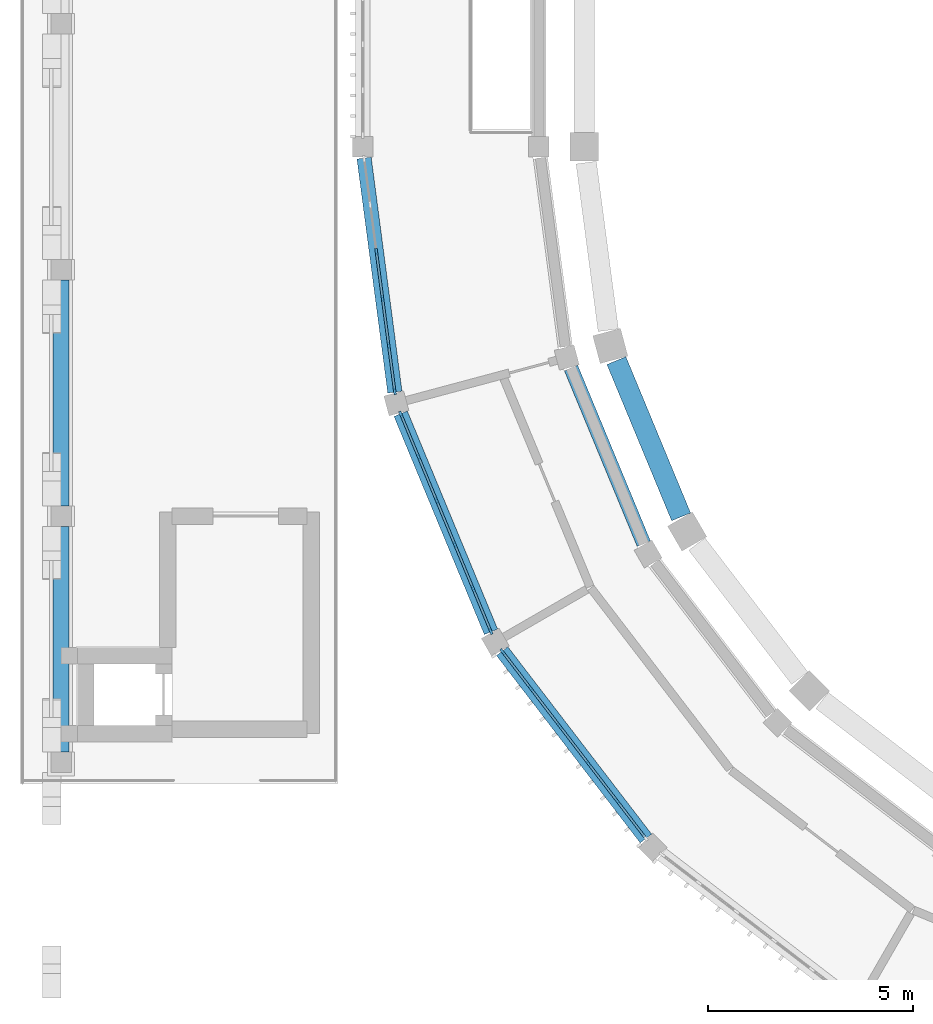
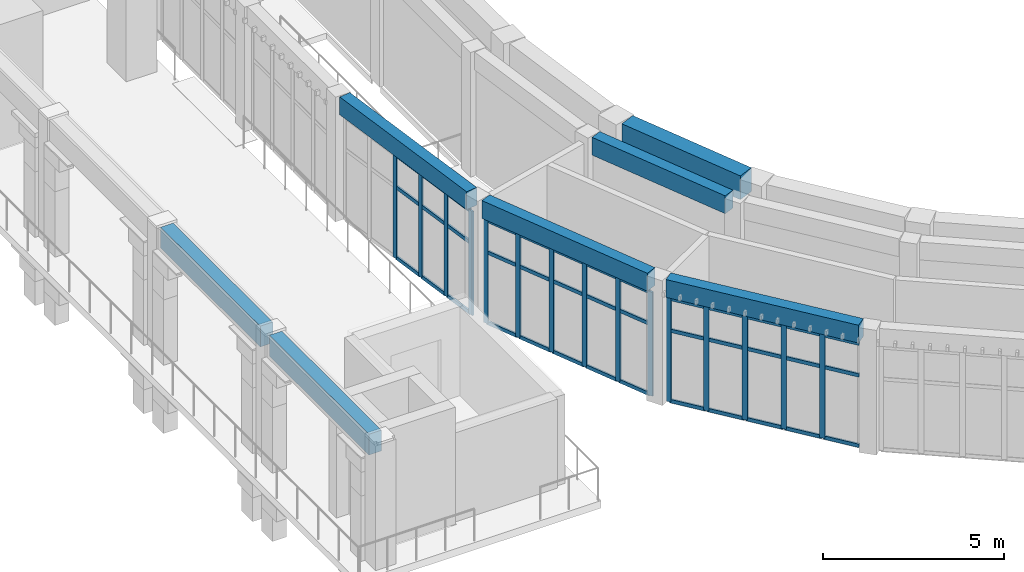
# One storey, part 5 of 99: 54 members, 7 beams, 3 elements without a shape of their own.
"""IFC4 building model written with IfcOpenShell, lengths in metres."""

from ifc_helpers import new_model, si_unit, direction, frame, origin, origin_2d, place, context, subcontext, project, spatial, rectangle, extrude, material, layer, layer_set, material_profile, profile_set, type_object, element, aggregate, save


model = new_model("IFC4")

# Units and contexts
model_context = context("Model", 3, precision=1e-05, world=origin(), true_north=direction((0.0, 1.0)))
body_context = subcontext(model_context, "Body", "Model", "MODEL_VIEW")
ifc_project = project(units=[si_unit("LENGTHUNIT", "METRE"), si_unit("AREAUNIT", "SQUARE_METRE"), si_unit("VOLUMEUNIT", "CUBIC_METRE"), si_unit("PLANEANGLEUNIT", "RADIAN"), si_unit("MASSUNIT", "GRAM", prefix="KILO")], contexts=[model_context])

# Site, building, storey
site_placement = place(None, origin())
site = spatial("IfcSite", under=ifc_project, at=site_placement, CompositionType="ELEMENT")
building_placement = place(site_placement, origin())
building = spatial("IfcBuilding", under=site, at=building_placement, Name="Wasatch Bagh Community Centre", CompositionType="ELEMENT")
storey_placement = place(building_placement, frame((0.0, 0.0, 4.199951171875)))
storey = spatial("IfcBuildingStorey", under=building, at=storey_placement, Name="L01", CompositionType="ELEMENT", Elevation=4.199951171875)

# Beams
ifc_material_1 = material(Name="Concrete C35", Category="concrete")
ifc_material_profile_1 = material_profile(ifc_material_1, rectangle(XDim=0.39990234375, YDim=0.699951171875, at=origin_2d()), Name="RC 400x700")
ifc_profile_set_1 = profile_set([ifc_material_profile_1], Name="Concrete C35")
beam_type_1 = type_object("IfcBeamType", Name="CT-B1", PredefinedType="BEAM", material=ifc_profile_set_1)
for number, where, z_axis, x_axis, name in (
    (1, (4.5, 20.25, 3.85009765625), (0.0, 1.0, 0.0), (-1.0, 0.0, 0.0), "CT-B1 terrace arcade spandrel beam 1"),
    (2, (4.5, 26.25, 3.85009765625), (0.0, 1.0, 0.0), (-1.0, 0.0, 0.0), "CT-B1 terrace arcade spandrel beam 2"),
):
    element("IfcBeam", number, at=place(storey_placement, frame(where, z_axis=z_axis, x_axis=x_axis)), inside=storey, type_object=beam_type_1, Name=name, PredefinedType="BEAM", context=body_context, shape_type="SweptSolid", body=[
        extrude(rectangle(XDim=0.39990234375, YDim=0.699951171875, at=origin_2d()), origin(), (0.0, 0.0, 1.0), 5.5),
    ])

# Curtain wall, members
ifc_material_2 = material(Name="Aluminium curtain wall frame with low-iron insulated glass", Category="aluminium")
ifc_layer = layer(ifc_material_2, 0.14990234375)
ifc_layer_set = layer_set([ifc_layer], Name="Aluminium curtain wall frame with low-iron insulated glass")
curtain_wall_type = type_object("IfcCurtainWallType", Name="Drum curtain wall DR-CW2", PredefinedType="NOTDEFINED", material=ifc_layer_set)
curtain_wall_1_placement = place(storey_placement, origin())
curtain_wall_1 = element("IfcCurtainWall", 3, at=curtain_wall_1_placement, inside=storey, type_object=curtain_wall_type, Name="Curtain wall DR-CW2 1", PredefinedType="NOTDEFINED")
ifc_material_3 = material(Name="Aluminium curtain wall frame", Category="aluminium")
ifc_material_profile_2 = material_profile(ifc_material_3, rectangle(XDim=0.06005859375, YDim=0.159912109375, at=origin_2d()), Name="Drum mullion DR-CW2")
ifc_profile_set_2 = profile_set([ifc_material_profile_2], Name="Aluminium curtain wall frame")
member_type_1 = type_object("IfcMemberType", Name="Drum mullion DR-CW2", PredefinedType="MULLION", material=ifc_profile_set_2)
member_1_placement = place(storey_placement, frame((12.18603515625, 32.44775390625, 0.0), z_axis=(0.0, 0.0, 1.0), x_axis=(0.991444861378, 0.130526192185, 0.0)))
member_1 = element("IfcMember", 4, at=member_1_placement, type_object=member_type_1, Name="DR-CW2 mullion 3", PredefinedType="MULLION", context=body_context, shape_type="SweptSolid", body=[
    extrude(rectangle(XDim=0.06005859375, YDim=0.159912109375, at=origin_2d()), origin(), (0.0, 0.0, 1.0), 3.5),
])
member_2_placement = place(storey_placement, frame((12.3369140625, 31.3017578125, 0.0), z_axis=(0.0, 0.0, 1.0), x_axis=(0.991444861378, 0.130526192185, 0.0)))
member_2 = element("IfcMember", 5, at=member_2_placement, type_object=member_type_1, Name="DR-CW2 mullion 4", PredefinedType="MULLION", context=body_context, shape_type="SweptSolid", body=[
    extrude(rectangle(XDim=0.06005859375, YDim=0.159912109375, at=origin_2d()), origin(), (0.0, 0.0, 1.0), 3.5),
])
member_3_placement = place(storey_placement, frame((12.48779296875, 30.15576171875, 0.0), z_axis=(0.0, 0.0, 1.0), x_axis=(0.991444861378, 0.130526192185, 0.0)))
member_3 = element("IfcMember", 6, at=member_3_placement, type_object=member_type_1, Name="DR-CW2 mullion 5", PredefinedType="MULLION", context=body_context, shape_type="SweptSolid", body=[
    extrude(rectangle(XDim=0.06005859375, YDim=0.159912109375, at=origin_2d()), origin(), (0.0, 0.0, 1.0), 3.5),
])
member_4_placement = place(storey_placement, frame((12.634765625, 29.03955078125, 0.0), z_axis=(0.0, 0.0, 1.0), x_axis=(0.991444861378, 0.130526192185, 0.0)))
member_4 = element("IfcMember", 7, at=member_4_placement, type_object=member_type_1, Name="DR-CW2 mullion 6", PredefinedType="MULLION", context=body_context, shape_type="SweptSolid", body=[
    extrude(rectangle(XDim=0.06005859375, YDim=0.159912109375, at=origin_2d()), origin(), (0.0, 0.0, 1.0), 3.5),
])

curtain_wall_2_placement = place(storey_placement, origin())
curtain_wall_2 = element("IfcCurtainWall", 8, at=curtain_wall_2_placement, inside=storey, type_object=curtain_wall_type, Name="Curtain wall DR-CW2 2", PredefinedType="NOTDEFINED")
member_5_placement = place(storey_placement, frame((12.784912109375, 28.479248046875, 0.0), z_axis=(0.0, 0.0, 1.0), x_axis=(0.923879532451, 0.38268343251, 0.0)))
member_5 = element("IfcMember", 9, at=member_5_placement, type_object=member_type_1, Name="DR-CW2 mullion 1", PredefinedType="MULLION", context=body_context, shape_type="SweptSolid", body=[
    extrude(rectangle(XDim=0.06005859375, YDim=0.159912109375, at=origin_2d()), origin(), (0.0, 0.0, 1.0), 3.5),
])
member_6_placement = place(storey_placement, frame((13.215576171875, 27.439208984375, 0.0), z_axis=(0.0, 0.0, 1.0), x_axis=(0.923879532451, 0.38268343251, 0.0)))
member_6 = element("IfcMember", 10, at=member_6_placement, type_object=member_type_1, Name="DR-CW2 mullion 2", PredefinedType="MULLION", context=body_context, shape_type="SweptSolid", body=[
    extrude(rectangle(XDim=0.06005859375, YDim=0.159912109375, at=origin_2d()), origin(), (0.0, 0.0, 1.0), 3.5),
])
member_7_placement = place(storey_placement, frame((13.657958984375, 26.37109375, 0.0), z_axis=(0.0, 0.0, 1.0), x_axis=(0.923879532451, 0.38268343251, 0.0)))
member_7 = element("IfcMember", 11, at=member_7_placement, type_object=member_type_1, Name="DR-CW2 mullion 3", PredefinedType="MULLION", context=body_context, shape_type="SweptSolid", body=[
    extrude(rectangle(XDim=0.06005859375, YDim=0.159912109375, at=origin_2d()), origin(), (0.0, 0.0, 1.0), 3.5),
])
member_8_placement = place(storey_placement, frame((14.100341796875, 25.30322265625, 0.0), z_axis=(0.0, 0.0, 1.0), x_axis=(0.923879532451, 0.38268343251, 0.0)))
member_8 = element("IfcMember", 12, at=member_8_placement, type_object=member_type_1, Name="DR-CW2 mullion 4", PredefinedType="MULLION", context=body_context, shape_type="SweptSolid", body=[
    extrude(rectangle(XDim=0.06005859375, YDim=0.159912109375, at=origin_2d()), origin(), (0.0, 0.0, 1.0), 3.5),
])
member_9_placement = place(storey_placement, frame((14.542724609375, 24.2353515625, 0.0), z_axis=(0.0, 0.0, 1.0), x_axis=(0.923879532451, 0.38268343251, 0.0)))
member_9 = element("IfcMember", 13, at=member_9_placement, type_object=member_type_1, Name="DR-CW2 mullion 5", PredefinedType="MULLION", context=body_context, shape_type="SweptSolid", body=[
    extrude(rectangle(XDim=0.06005859375, YDim=0.159912109375, at=origin_2d()), origin(), (0.0, 0.0, 1.0), 3.5),
])
member_10_placement = place(storey_placement, frame((14.9736328125, 23.1953125, 0.0), z_axis=(0.0, 0.0, 1.0), x_axis=(0.923879532451, 0.38268343251, 0.0)))
member_10 = element("IfcMember", 14, at=member_10_placement, type_object=member_type_1, Name="DR-CW2 mullion 6", PredefinedType="MULLION", context=body_context, shape_type="SweptSolid", body=[
    extrude(rectangle(XDim=0.06005859375, YDim=0.159912109375, at=origin_2d()), origin(), (0.0, 0.0, 1.0), 3.5),
])

curtain_wall_3_placement = place(storey_placement, origin())
curtain_wall_3 = element("IfcCurtainWall", 15, at=curtain_wall_3_placement, inside=storey, type_object=curtain_wall_type, Name="Curtain wall DR-CW2 3", PredefinedType="NOTDEFINED")
member_11_placement = place(storey_placement, frame((15.263671875, 22.69287109375, 0.0), z_axis=(0.0, 0.0, 1.0), x_axis=(0.793353340196, 0.608761429133, 0.0)))
member_11 = element("IfcMember", 16, at=member_11_placement, type_object=member_type_1, Name="DR-CW2 mullion 1", PredefinedType="MULLION", context=body_context, shape_type="SweptSolid", body=[
    extrude(rectangle(XDim=0.06005859375, YDim=0.159912109375, at=origin_2d()), origin(), (0.0, 0.0, 1.0), 3.5),
])
member_12_placement = place(storey_placement, frame((15.948974609375, 21.7998046875, 0.0), z_axis=(0.0, 0.0, 1.0), x_axis=(0.793353340196, 0.608761429133, 0.0)))
member_12 = element("IfcMember", 17, at=member_12_placement, type_object=member_type_1, Name="DR-CW2 mullion 2", PredefinedType="MULLION", context=body_context, shape_type="SweptSolid", body=[
    extrude(rectangle(XDim=0.06005859375, YDim=0.159912109375, at=origin_2d()), origin(), (0.0, 0.0, 1.0), 3.5),
])
member_13_placement = place(storey_placement, frame((16.652587890625, 20.8828125, 0.0), z_axis=(0.0, 0.0, 1.0), x_axis=(0.793353340196, 0.608761429133, 0.0)))
member_13 = element("IfcMember", 18, at=member_13_placement, type_object=member_type_1, Name="DR-CW2 mullion 3", PredefinedType="MULLION", context=body_context, shape_type="SweptSolid", body=[
    extrude(rectangle(XDim=0.06005859375, YDim=0.159912109375, at=origin_2d()), origin(), (0.0, 0.0, 1.0), 3.5),
])
member_14_placement = place(storey_placement, frame((17.356201171875, 19.965576171875, 0.0), z_axis=(0.0, 0.0, 1.0), x_axis=(0.793353340196, 0.608761429133, 0.0)))
member_14 = element("IfcMember", 19, at=member_14_placement, type_object=member_type_1, Name="DR-CW2 mullion 4", PredefinedType="MULLION", context=body_context, shape_type="SweptSolid", body=[
    extrude(rectangle(XDim=0.06005859375, YDim=0.159912109375, at=origin_2d()), origin(), (0.0, 0.0, 1.0), 3.5),
])
member_15_placement = place(storey_placement, frame((18.059814453125, 19.048583984375, 0.0), z_axis=(0.0, 0.0, 1.0), x_axis=(0.793353340196, 0.608761429133, 0.0)))
member_15 = element("IfcMember", 20, at=member_15_placement, type_object=member_type_1, Name="DR-CW2 mullion 5", PredefinedType="MULLION", context=body_context, shape_type="SweptSolid", body=[
    extrude(rectangle(XDim=0.06005859375, YDim=0.159912109375, at=origin_2d()), origin(), (0.0, 0.0, 1.0), 3.5),
])

# Beams
ifc_material_profile_3 = material_profile(ifc_material_1, rectangle(XDim=0.35009765625, YDim=0.60009765625, at=origin_2d()), Name="RC 350x600")
ifc_profile_set_3 = profile_set([ifc_material_profile_3], Name="Concrete C35")
beam_type_2 = type_object("IfcBeamType", Name="Drum ring beam RC 350x600", PredefinedType="BEAM", material=ifc_profile_set_3)
beam_1_placement = place(storey_placement, frame((16.931884765625, 29.607666015625, 3.900146484375), z_axis=(0.382671540178, -0.923884458327, 0.0), x_axis=(0.923884458327, 0.382671540178, 0.0)))
element("IfcBeam", 21, at=beam_1_placement, inside=storey, type_object=beam_type_2, Name="Ring beam 8.4 DI-S1-DI-S2", PredefinedType="BEAM", context=body_context, shape_type="SweptSolid", body=[
    extrude(rectangle(XDim=0.35009765625, YDim=0.60009765625, at=origin_2d()), origin(), (0.0, 0.0, 1.0), 4.630615234375),
])
beam_2_placement = place(storey_placement, frame((11.885986328125, 34.7265625, 3.900146484375), z_axis=(0.130540139759, -0.991443025046, 0.0), x_axis=(0.991443025046, 0.130540139759, 0.0)))
element("IfcBeam", 22, at=beam_2_placement, inside=storey, type_object=beam_type_2, Name="Ring beam 8.4 DO-W1-DO-S1", PredefinedType="BEAM", context=body_context, shape_type="SweptSolid", body=[
    extrude(rectangle(XDim=0.35009765625, YDim=0.60009765625, at=origin_2d()), origin(), (0.0, 0.0, 1.0), 5.7529296875),
])
beam_3_placement = place(storey_placement, frame((12.7783203125, 28.494873046875, 3.900146484375), z_axis=(0.38268910224, -0.923877183952, 0.0), x_axis=(0.923877183952, 0.38268910224, 0.0)))
element("IfcBeam", 23, at=beam_3_placement, inside=storey, type_object=beam_type_2, Name="Ring beam 8.4 DO-S1-DO-S2", PredefinedType="BEAM", context=body_context, shape_type="SweptSolid", body=[
    extrude(rectangle(XDim=0.35009765625, YDim=0.60009765625, at=origin_2d()), origin(), (0.0, 0.0, 1.0), 5.753173828125),
])
beam_4_placement = place(storey_placement, frame((15.25341796875, 22.706298828125, 3.900146484375), z_axis=(0.608756673514, -0.793356989288, 0.0), x_axis=(0.793356989288, 0.608756673514, 0.0)))
element("IfcBeam", 24, at=beam_4_placement, inside=storey, type_object=beam_type_2, Name="Ring beam 8.4 DO-S2-DO-S3", PredefinedType="BEAM", context=body_context, shape_type="SweptSolid", body=[
    extrude(rectangle(XDim=0.35009765625, YDim=0.60009765625, at=origin_2d()), origin(), (0.0, 0.0, 1.0), 5.7529296875),
])

# Member
ifc_material_profile_4 = material_profile(ifc_material_3, rectangle(XDim=0.06005859375, YDim=0.1201171875, at=origin_2d()), Name="Drum transom DR-CW2")
ifc_profile_set_4 = profile_set([ifc_material_profile_4], Name="Aluminium curtain wall frame")
member_type_2 = type_object("IfcMemberType", Name="Drum transom DR-CW2", PredefinedType="USERDEFINED", material=ifc_profile_set_4)
member_16_placement = place(storey_placement, frame((12.18994140625, 32.41796875, 0.030029296875), z_axis=(0.130558250608, -0.99144064028, 0.0), x_axis=(0.99144064028, 0.130558250608, 0.0)))
member_16 = element("IfcMember", 25, at=member_16_placement, type_object=member_type_2, Name="DR-CW2 transom 3.1", ObjectType="TRANSOM", PredefinedType="USERDEFINED", context=body_context, shape_type="SweptSolid", body=[
    extrude(rectangle(XDim=0.06005859375, YDim=0.1201171875, at=origin_2d()), origin(), (0.0, 0.0, 1.0), 1.095703125),
])

member_17_placement = place(storey_placement, frame((12.18994140625, 32.41796875, 2.400146484375), z_axis=(0.130558250608, -0.99144064028, 0.0), x_axis=(0.99144064028, 0.130558250608, 0.0)))
member_17 = element("IfcMember", 26, at=member_17_placement, type_object=member_type_2, Name="DR-CW2 transom 3.2", ObjectType="TRANSOM", PredefinedType="USERDEFINED", context=body_context, shape_type="SweptSolid", body=[
    extrude(rectangle(XDim=0.06005859375, YDim=0.1201171875, at=origin_2d()), origin(), (0.0, 0.0, 1.0), 1.095703125),
])

member_18_placement = place(storey_placement, frame((12.18994140625, 32.41796875, 3.469970703125), z_axis=(0.130558250608, -0.99144064028, 0.0), x_axis=(0.99144064028, 0.130558250608, 0.0)))
member_18 = element("IfcMember", 27, at=member_18_placement, type_object=member_type_2, Name="DR-CW2 transom 3.3", ObjectType="TRANSOM", PredefinedType="USERDEFINED", context=body_context, shape_type="SweptSolid", body=[
    extrude(rectangle(XDim=0.06005859375, YDim=0.1201171875, at=origin_2d()), origin(), (0.0, 0.0, 1.0), 1.095703125),
])

member_19_placement = place(storey_placement, frame((12.3408203125, 31.27197265625, 0.030029296875), z_axis=(0.130558250608, -0.99144064028, 0.0), x_axis=(0.99144064028, 0.130558250608, 0.0)))
member_19 = element("IfcMember", 28, at=member_19_placement, type_object=member_type_2, Name="DR-CW2 transom 4.1", ObjectType="TRANSOM", PredefinedType="USERDEFINED", context=body_context, shape_type="SweptSolid", body=[
    extrude(rectangle(XDim=0.06005859375, YDim=0.1201171875, at=origin_2d()), origin(), (0.0, 0.0, 1.0), 1.095703125),
])

member_20_placement = place(storey_placement, frame((12.3408203125, 31.27197265625, 2.400146484375), z_axis=(0.130558250608, -0.99144064028, 0.0), x_axis=(0.99144064028, 0.130558250608, 0.0)))
member_20 = element("IfcMember", 29, at=member_20_placement, type_object=member_type_2, Name="DR-CW2 transom 4.2", ObjectType="TRANSOM", PredefinedType="USERDEFINED", context=body_context, shape_type="SweptSolid", body=[
    extrude(rectangle(XDim=0.06005859375, YDim=0.1201171875, at=origin_2d()), origin(), (0.0, 0.0, 1.0), 1.095703125),
])

member_21_placement = place(storey_placement, frame((12.3408203125, 31.27197265625, 3.469970703125), z_axis=(0.130558250608, -0.99144064028, 0.0), x_axis=(0.99144064028, 0.130558250608, 0.0)))
member_21 = element("IfcMember", 30, at=member_21_placement, type_object=member_type_2, Name="DR-CW2 transom 4.3", ObjectType="TRANSOM", PredefinedType="USERDEFINED", context=body_context, shape_type="SweptSolid", body=[
    extrude(rectangle(XDim=0.06005859375, YDim=0.1201171875, at=origin_2d()), origin(), (0.0, 0.0, 1.0), 1.095703125),
])

member_22_placement = place(storey_placement, frame((12.49169921875, 30.1259765625, 0.030029296875), z_axis=(0.130573025845, -0.991438694485, 0.0), x_axis=(0.991438694485, 0.130573025845, 0.0)))
member_22 = element("IfcMember", 31, at=member_22_placement, type_object=member_type_2, Name="DR-CW2 transom 5.1", ObjectType="TRANSOM", PredefinedType="USERDEFINED", context=body_context, shape_type="SweptSolid", body=[
    extrude(rectangle(XDim=0.06005859375, YDim=0.1201171875, at=origin_2d()), origin(), (0.0, 0.0, 1.0), 1.065673828125),
])

member_23_placement = place(storey_placement, frame((12.49169921875, 30.1259765625, 2.400146484375), z_axis=(0.130573025845, -0.991438694485, 0.0), x_axis=(0.991438694485, 0.130573025845, 0.0)))
member_23 = element("IfcMember", 32, at=member_23_placement, type_object=member_type_2, Name="DR-CW2 transom 5.2", ObjectType="TRANSOM", PredefinedType="USERDEFINED", context=body_context, shape_type="SweptSolid", body=[
    extrude(rectangle(XDim=0.06005859375, YDim=0.1201171875, at=origin_2d()), origin(), (0.0, 0.0, 1.0), 1.065673828125),
])

member_24_placement = place(storey_placement, frame((12.49169921875, 30.1259765625, 3.469970703125), z_axis=(0.130573025845, -0.991438694485, 0.0), x_axis=(0.991438694485, 0.130573025845, 0.0)))
member_24 = element("IfcMember", 33, at=member_24_placement, type_object=member_type_2, Name="DR-CW2 transom 5.3", ObjectType="TRANSOM", PredefinedType="USERDEFINED", context=body_context, shape_type="SweptSolid", body=[
    extrude(rectangle(XDim=0.06005859375, YDim=0.1201171875, at=origin_2d()), origin(), (0.0, 0.0, 1.0), 1.065673828125),
])

aggregate(curtain_wall_1, [member_1, member_2, member_3, member_4, member_16, member_17, member_18, member_19, member_20, member_21, member_22, member_23, member_24])

member_25_placement = place(storey_placement, frame((12.79638671875, 28.45166015625, 0.030029296875), z_axis=(0.382500141907, -0.923955432606, 0.0), x_axis=(0.923955432606, 0.382500141907, 0.0)))
member_25 = element("IfcMember", 34, at=member_25_placement, type_object=member_type_2, Name="DR-CW2 transom 1.1", ObjectType="TRANSOM", PredefinedType="USERDEFINED", context=body_context, shape_type="SweptSolid", body=[
    extrude(rectangle(XDim=0.06005859375, YDim=0.1201171875, at=origin_2d()), origin(), (0.0, 0.0, 1.0), 1.06591796875),
])

member_26_placement = place(storey_placement, frame((12.79638671875, 28.45166015625, 2.400146484375), z_axis=(0.382500141907, -0.923955432606, 0.0), x_axis=(0.923955432606, 0.382500141907, 0.0)))
member_26 = element("IfcMember", 35, at=member_26_placement, type_object=member_type_2, Name="DR-CW2 transom 1.2", ObjectType="TRANSOM", PredefinedType="USERDEFINED", context=body_context, shape_type="SweptSolid", body=[
    extrude(rectangle(XDim=0.06005859375, YDim=0.1201171875, at=origin_2d()), origin(), (0.0, 0.0, 1.0), 1.06591796875),
])

member_27_placement = place(storey_placement, frame((12.79638671875, 28.45166015625, 3.469970703125), z_axis=(0.382500141907, -0.923955432606, 0.0), x_axis=(0.923955432606, 0.382500141907, 0.0)))
member_27 = element("IfcMember", 36, at=member_27_placement, type_object=member_type_2, Name="DR-CW2 transom 1.3", ObjectType="TRANSOM", PredefinedType="USERDEFINED", context=body_context, shape_type="SweptSolid", body=[
    extrude(rectangle(XDim=0.06005859375, YDim=0.1201171875, at=origin_2d()), origin(), (0.0, 0.0, 1.0), 1.06591796875),
])

member_28_placement = place(storey_placement, frame((13.22705078125, 27.411376953125, 0.030029296875), z_axis=(0.382732178779, -0.923859339579, 0.0), x_axis=(0.923859339579, 0.382732178779, 0.0)))
member_28 = element("IfcMember", 37, at=member_28_placement, type_object=member_type_2, Name="DR-CW2 transom 2.1", ObjectType="TRANSOM", PredefinedType="USERDEFINED", context=body_context, shape_type="SweptSolid", body=[
    extrude(rectangle(XDim=0.06005859375, YDim=0.1201171875, at=origin_2d()), origin(), (0.0, 0.0, 1.0), 1.095947265625),
])

member_29_placement = place(storey_placement, frame((13.22705078125, 27.411376953125, 2.400146484375), z_axis=(0.382732178779, -0.923859339579, 0.0), x_axis=(0.923859339579, 0.382732178779, 0.0)))
member_29 = element("IfcMember", 38, at=member_29_placement, type_object=member_type_2, Name="DR-CW2 transom 2.2", ObjectType="TRANSOM", PredefinedType="USERDEFINED", context=body_context, shape_type="SweptSolid", body=[
    extrude(rectangle(XDim=0.06005859375, YDim=0.1201171875, at=origin_2d()), origin(), (0.0, 0.0, 1.0), 1.095947265625),
])

member_30_placement = place(storey_placement, frame((13.22705078125, 27.411376953125, 3.469970703125), z_axis=(0.382732178779, -0.923859339579, 0.0), x_axis=(0.923859339579, 0.382732178779, 0.0)))
member_30 = element("IfcMember", 39, at=member_30_placement, type_object=member_type_2, Name="DR-CW2 transom 2.3", ObjectType="TRANSOM", PredefinedType="USERDEFINED", context=body_context, shape_type="SweptSolid", body=[
    extrude(rectangle(XDim=0.06005859375, YDim=0.1201171875, at=origin_2d()), origin(), (0.0, 0.0, 1.0), 1.095947265625),
])

member_31_placement = place(storey_placement, frame((13.66943359375, 26.343505859375, 0.030029296875), z_axis=(0.382732178779, -0.923859339579, 0.0), x_axis=(0.923859339579, 0.382732178779, 0.0)))
member_31 = element("IfcMember", 40, at=member_31_placement, type_object=member_type_2, Name="DR-CW2 transom 3.1", ObjectType="TRANSOM", PredefinedType="USERDEFINED", context=body_context, shape_type="SweptSolid", body=[
    extrude(rectangle(XDim=0.06005859375, YDim=0.1201171875, at=origin_2d()), origin(), (0.0, 0.0, 1.0), 1.095947265625),
])

member_32_placement = place(storey_placement, frame((13.66943359375, 26.343505859375, 2.400146484375), z_axis=(0.382732178779, -0.923859339579, 0.0), x_axis=(0.923859339579, 0.382732178779, 0.0)))
member_32 = element("IfcMember", 41, at=member_32_placement, type_object=member_type_2, Name="DR-CW2 transom 3.2", ObjectType="TRANSOM", PredefinedType="USERDEFINED", context=body_context, shape_type="SweptSolid", body=[
    extrude(rectangle(XDim=0.06005859375, YDim=0.1201171875, at=origin_2d()), origin(), (0.0, 0.0, 1.0), 1.095947265625),
])

member_33_placement = place(storey_placement, frame((13.66943359375, 26.343505859375, 3.469970703125), z_axis=(0.382732178779, -0.923859339579, 0.0), x_axis=(0.923859339579, 0.382732178779, 0.0)))
member_33 = element("IfcMember", 42, at=member_33_placement, type_object=member_type_2, Name="DR-CW2 transom 3.3", ObjectType="TRANSOM", PredefinedType="USERDEFINED", context=body_context, shape_type="SweptSolid", body=[
    extrude(rectangle(XDim=0.06005859375, YDim=0.1201171875, at=origin_2d()), origin(), (0.0, 0.0, 1.0), 1.095947265625),
])

member_34_placement = place(storey_placement, frame((14.11181640625, 25.275634765625, 0.030029296875), z_axis=(0.382732178779, -0.923859339579, 0.0), x_axis=(0.923859339579, 0.382732178779, 0.0)))
member_34 = element("IfcMember", 43, at=member_34_placement, type_object=member_type_2, Name="DR-CW2 transom 4.1", ObjectType="TRANSOM", PredefinedType="USERDEFINED", context=body_context, shape_type="SweptSolid", body=[
    extrude(rectangle(XDim=0.06005859375, YDim=0.1201171875, at=origin_2d()), origin(), (0.0, 0.0, 1.0), 1.095947265625),
])

member_35_placement = place(storey_placement, frame((14.11181640625, 25.275634765625, 2.400146484375), z_axis=(0.382732178779, -0.923859339579, 0.0), x_axis=(0.923859339579, 0.382732178779, 0.0)))
member_35 = element("IfcMember", 44, at=member_35_placement, type_object=member_type_2, Name="DR-CW2 transom 4.2", ObjectType="TRANSOM", PredefinedType="USERDEFINED", context=body_context, shape_type="SweptSolid", body=[
    extrude(rectangle(XDim=0.06005859375, YDim=0.1201171875, at=origin_2d()), origin(), (0.0, 0.0, 1.0), 1.095947265625),
])

member_36_placement = place(storey_placement, frame((14.11181640625, 25.275634765625, 3.469970703125), z_axis=(0.382732178779, -0.923859339579, 0.0), x_axis=(0.923859339579, 0.382732178779, 0.0)))
member_36 = element("IfcMember", 45, at=member_36_placement, type_object=member_type_2, Name="DR-CW2 transom 4.3", ObjectType="TRANSOM", PredefinedType="USERDEFINED", context=body_context, shape_type="SweptSolid", body=[
    extrude(rectangle(XDim=0.06005859375, YDim=0.1201171875, at=origin_2d()), origin(), (0.0, 0.0, 1.0), 1.095947265625),
])

member_37_placement = place(storey_placement, frame((14.55419921875, 24.207763671875, 0.030029296875), z_axis=(0.38269564791, -0.923874472572, 0.0), x_axis=(0.923874472572, 0.38269564791, 0.0)))
member_37 = element("IfcMember", 46, at=member_37_placement, type_object=member_type_2, Name="DR-CW2 transom 5.1", ObjectType="TRANSOM", PredefinedType="USERDEFINED", context=body_context, shape_type="SweptSolid", body=[
    extrude(rectangle(XDim=0.06005859375, YDim=0.1201171875, at=origin_2d()), origin(), (0.0, 0.0, 1.0), 1.06591796875),
])

member_38_placement = place(storey_placement, frame((14.55419921875, 24.207763671875, 2.400146484375), z_axis=(0.38269564791, -0.923874472572, 0.0), x_axis=(0.923874472572, 0.38269564791, 0.0)))
member_38 = element("IfcMember", 47, at=member_38_placement, type_object=member_type_2, Name="DR-CW2 transom 5.2", ObjectType="TRANSOM", PredefinedType="USERDEFINED", context=body_context, shape_type="SweptSolid", body=[
    extrude(rectangle(XDim=0.06005859375, YDim=0.1201171875, at=origin_2d()), origin(), (0.0, 0.0, 1.0), 1.06591796875),
])

member_39_placement = place(storey_placement, frame((14.55419921875, 24.207763671875, 3.469970703125), z_axis=(0.38269564791, -0.923874472572, 0.0), x_axis=(0.923874472572, 0.38269564791, 0.0)))
member_39 = element("IfcMember", 48, at=member_39_placement, type_object=member_type_2, Name="DR-CW2 transom 5.3", ObjectType="TRANSOM", PredefinedType="USERDEFINED", context=body_context, shape_type="SweptSolid", body=[
    extrude(rectangle(XDim=0.06005859375, YDim=0.1201171875, at=origin_2d()), origin(), (0.0, 0.0, 1.0), 1.06591796875),
])

aggregate(curtain_wall_2, [member_5, member_6, member_7, member_8, member_9, member_10, member_25, member_26, member_27, member_28, member_29, member_30, member_31, member_32, member_33, member_34, member_35, member_36, member_37, member_38, member_39])

member_40_placement = place(storey_placement, frame((15.28173828125, 22.669189453125, 0.030029296875), z_axis=(0.608758447006, -0.793355628453, 0.0), x_axis=(0.793355628453, 0.608758447006, 0.0)))
member_40 = element("IfcMember", 49, at=member_40_placement, type_object=member_type_2, Name="DR-CW2 transom 1.1", ObjectType="TRANSOM", PredefinedType="USERDEFINED", context=body_context, shape_type="SweptSolid", body=[
    extrude(rectangle(XDim=0.06005859375, YDim=0.1201171875, at=origin_2d()), origin(), (0.0, 0.0, 1.0), 1.06591796875),
])

member_41_placement = place(storey_placement, frame((15.28173828125, 22.669189453125, 2.400146484375), z_axis=(0.608758447006, -0.793355628453, 0.0), x_axis=(0.793355628453, 0.608758447006, 0.0)))
member_41 = element("IfcMember", 50, at=member_41_placement, type_object=member_type_2, Name="DR-CW2 transom 1.2", ObjectType="TRANSOM", PredefinedType="USERDEFINED", context=body_context, shape_type="SweptSolid", body=[
    extrude(rectangle(XDim=0.06005859375, YDim=0.1201171875, at=origin_2d()), origin(), (0.0, 0.0, 1.0), 1.06591796875),
])

member_42_placement = place(storey_placement, frame((15.28173828125, 22.669189453125, 3.469970703125), z_axis=(0.608758447006, -0.793355628453, 0.0), x_axis=(0.793355628453, 0.608758447006, 0.0)))
member_42 = element("IfcMember", 51, at=member_42_placement, type_object=member_type_2, Name="DR-CW2 transom 1.3", ObjectType="TRANSOM", PredefinedType="USERDEFINED", context=body_context, shape_type="SweptSolid", body=[
    extrude(rectangle(XDim=0.06005859375, YDim=0.1201171875, at=origin_2d()), origin(), (0.0, 0.0, 1.0), 1.06591796875),
])

member_43_placement = place(storey_placement, frame((15.96728515625, 21.77587890625, 0.030029296875), z_axis=(0.608698124672, -0.793401911405, 0.0), x_axis=(0.793401911405, 0.608698124672, 0.0)))
member_43 = element("IfcMember", 52, at=member_43_placement, type_object=member_type_2, Name="DR-CW2 transom 2.1", ObjectType="TRANSOM", PredefinedType="USERDEFINED", context=body_context, shape_type="SweptSolid", body=[
    extrude(rectangle(XDim=0.06005859375, YDim=0.1201171875, at=origin_2d()), origin(), (0.0, 0.0, 1.0), 1.095703125),
])

member_44_placement = place(storey_placement, frame((15.96728515625, 21.77587890625, 2.400146484375), z_axis=(0.608698124672, -0.793401911405, 0.0), x_axis=(0.793401911405, 0.608698124672, 0.0)))
member_44 = element("IfcMember", 53, at=member_44_placement, type_object=member_type_2, Name="DR-CW2 transom 2.2", ObjectType="TRANSOM", PredefinedType="USERDEFINED", context=body_context, shape_type="SweptSolid", body=[
    extrude(rectangle(XDim=0.06005859375, YDim=0.1201171875, at=origin_2d()), origin(), (0.0, 0.0, 1.0), 1.095703125),
])

member_45_placement = place(storey_placement, frame((15.96728515625, 21.77587890625, 3.469970703125), z_axis=(0.608698124672, -0.793401911405, 0.0), x_axis=(0.793401911405, 0.608698124672, 0.0)))
member_45 = element("IfcMember", 54, at=member_45_placement, type_object=member_type_2, Name="DR-CW2 transom 2.3", ObjectType="TRANSOM", PredefinedType="USERDEFINED", context=body_context, shape_type="SweptSolid", body=[
    extrude(rectangle(XDim=0.06005859375, YDim=0.1201171875, at=origin_2d()), origin(), (0.0, 0.0, 1.0), 1.095703125),
])

member_46_placement = place(storey_placement, frame((16.6708984375, 20.85888671875, 0.030029296875), z_axis=(0.608698124672, -0.793401911405, 0.0), x_axis=(0.793401911405, 0.608698124672, 0.0)))
member_46 = element("IfcMember", 55, at=member_46_placement, type_object=member_type_2, Name="DR-CW2 transom 3.1", ObjectType="TRANSOM", PredefinedType="USERDEFINED", context=body_context, shape_type="SweptSolid", body=[
    extrude(rectangle(XDim=0.06005859375, YDim=0.1201171875, at=origin_2d()), origin(), (0.0, 0.0, 1.0), 1.095703125),
])

member_47_placement = place(storey_placement, frame((16.6708984375, 20.85888671875, 2.400146484375), z_axis=(0.608698124672, -0.793401911405, 0.0), x_axis=(0.793401911405, 0.608698124672, 0.0)))
member_47 = element("IfcMember", 56, at=member_47_placement, type_object=member_type_2, Name="DR-CW2 transom 3.2", ObjectType="TRANSOM", PredefinedType="USERDEFINED", context=body_context, shape_type="SweptSolid", body=[
    extrude(rectangle(XDim=0.06005859375, YDim=0.1201171875, at=origin_2d()), origin(), (0.0, 0.0, 1.0), 1.095703125),
])

member_48_placement = place(storey_placement, frame((16.6708984375, 20.85888671875, 3.469970703125), z_axis=(0.608698124672, -0.793401911405, 0.0), x_axis=(0.793401911405, 0.608698124672, 0.0)))
member_48 = element("IfcMember", 57, at=member_48_placement, type_object=member_type_2, Name="DR-CW2 transom 3.3", ObjectType="TRANSOM", PredefinedType="USERDEFINED", context=body_context, shape_type="SweptSolid", body=[
    extrude(rectangle(XDim=0.06005859375, YDim=0.1201171875, at=origin_2d()), origin(), (0.0, 0.0, 1.0), 1.095703125),
])

member_49_placement = place(storey_placement, frame((17.37451171875, 19.94189453125, 0.030029296875), z_axis=(0.608838347721, -0.793294312563, 0.0), x_axis=(0.793294312563, 0.608838347721, 0.0)))
member_49 = element("IfcMember", 58, at=member_49_placement, type_object=member_type_2, Name="DR-CW2 transom 4.1", ObjectType="TRANSOM", PredefinedType="USERDEFINED", context=body_context, shape_type="SweptSolid", body=[
    extrude(rectangle(XDim=0.06005859375, YDim=0.1201171875, at=origin_2d()), origin(), (0.0, 0.0, 1.0), 1.095947265625),
])

member_50_placement = place(storey_placement, frame((17.37451171875, 19.94189453125, 2.400146484375), z_axis=(0.608838347721, -0.793294312563, 0.0), x_axis=(0.793294312563, 0.608838347721, 0.0)))
member_50 = element("IfcMember", 59, at=member_50_placement, type_object=member_type_2, Name="DR-CW2 transom 4.2", ObjectType="TRANSOM", PredefinedType="USERDEFINED", context=body_context, shape_type="SweptSolid", body=[
    extrude(rectangle(XDim=0.06005859375, YDim=0.1201171875, at=origin_2d()), origin(), (0.0, 0.0, 1.0), 1.095947265625),
])

member_51_placement = place(storey_placement, frame((17.37451171875, 19.94189453125, 3.469970703125), z_axis=(0.608838347721, -0.793294312563, 0.0), x_axis=(0.793294312563, 0.608838347721, 0.0)))
member_51 = element("IfcMember", 60, at=member_51_placement, type_object=member_type_2, Name="DR-CW2 transom 4.3", ObjectType="TRANSOM", PredefinedType="USERDEFINED", context=body_context, shape_type="SweptSolid", body=[
    extrude(rectangle(XDim=0.06005859375, YDim=0.1201171875, at=origin_2d()), origin(), (0.0, 0.0, 1.0), 1.095947265625),
])

member_52_placement = place(storey_placement, frame((18.078125, 19.02490234375, 0.030029296875), z_axis=(0.608758447006, -0.793355628453, 0.0), x_axis=(0.793355628453, 0.608758447006, 0.0)))
member_52 = element("IfcMember", 61, at=member_52_placement, type_object=member_type_2, Name="DR-CW2 transom 5.1", ObjectType="TRANSOM", PredefinedType="USERDEFINED", context=body_context, shape_type="SweptSolid", body=[
    extrude(rectangle(XDim=0.06005859375, YDim=0.1201171875, at=origin_2d()), origin(), (0.0, 0.0, 1.0), 1.06591796875),
])

member_53_placement = place(storey_placement, frame((18.078125, 19.02490234375, 2.400146484375), z_axis=(0.608758447006, -0.793355628453, 0.0), x_axis=(0.793355628453, 0.608758447006, 0.0)))
member_53 = element("IfcMember", 62, at=member_53_placement, type_object=member_type_2, Name="DR-CW2 transom 5.2", ObjectType="TRANSOM", PredefinedType="USERDEFINED", context=body_context, shape_type="SweptSolid", body=[
    extrude(rectangle(XDim=0.06005859375, YDim=0.1201171875, at=origin_2d()), origin(), (0.0, 0.0, 1.0), 1.06591796875),
])

member_54_placement = place(storey_placement, frame((18.078125, 19.02490234375, 3.469970703125), z_axis=(0.608758447006, -0.793355628453, 0.0), x_axis=(0.793355628453, 0.608758447006, 0.0)))
member_54 = element("IfcMember", 63, at=member_54_placement, type_object=member_type_2, Name="DR-CW2 transom 5.3", ObjectType="TRANSOM", PredefinedType="USERDEFINED", context=body_context, shape_type="SweptSolid", body=[
    extrude(rectangle(XDim=0.06005859375, YDim=0.1201171875, at=origin_2d()), origin(), (0.0, 0.0, 1.0), 1.06591796875),
])

aggregate(curtain_wall_3, [member_11, member_12, member_13, member_14, member_15, member_40, member_41, member_42, member_43, member_44, member_45, member_46, member_47, member_48, member_49, member_50, member_51, member_52, member_53, member_54])

# Beam
ifc_material_profile_5 = material_profile(ifc_material_1, rectangle(XDim=0.5, YDim=0.800048828125, at=origin_2d()), Name="RC 500x800")
ifc_profile_set_5 = profile_set([ifc_material_profile_5], Name="Concrete C35")
beam_type_3 = type_object("IfcBeamType", Name="MH ring beam RC 500x800", PredefinedType="BEAM", material=ifc_profile_set_5)
beam_5_placement = place(storey_placement, frame((18.036865234375, 29.7900390625, 3.800048828125), z_axis=(0.382688328955, -0.923877504262, 0.0), x_axis=(0.923877504262, 0.382688328955, 0.0)))
element("IfcBeam", 64, at=beam_5_placement, inside=storey, type_object=beam_type_3, Name="Ring beam 8.4 S1-S2", PredefinedType="BEAM", context=body_context, shape_type="SweptSolid", body=[
    extrude(rectangle(XDim=0.5, YDim=0.800048828125, at=origin_2d()), origin(), (0.0, 0.0, 1.0), 4.121826171875),
])

save(model, "model.ifc")
